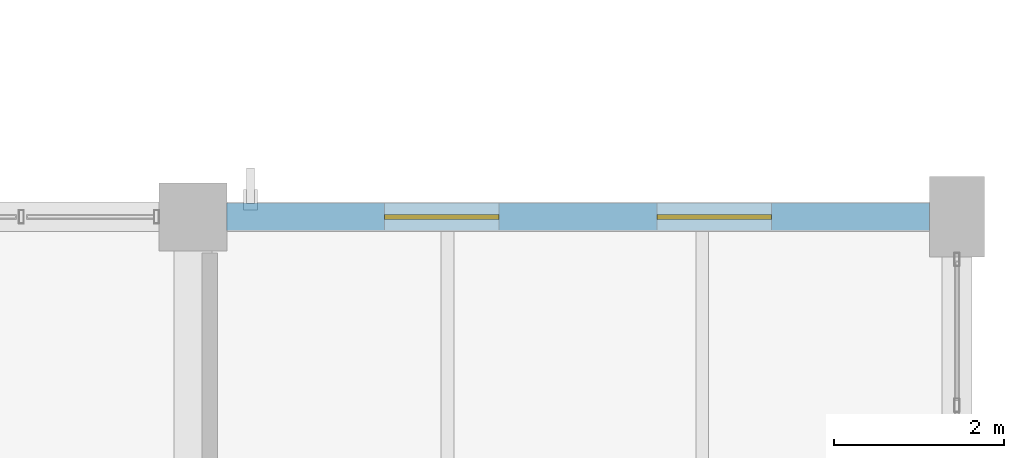
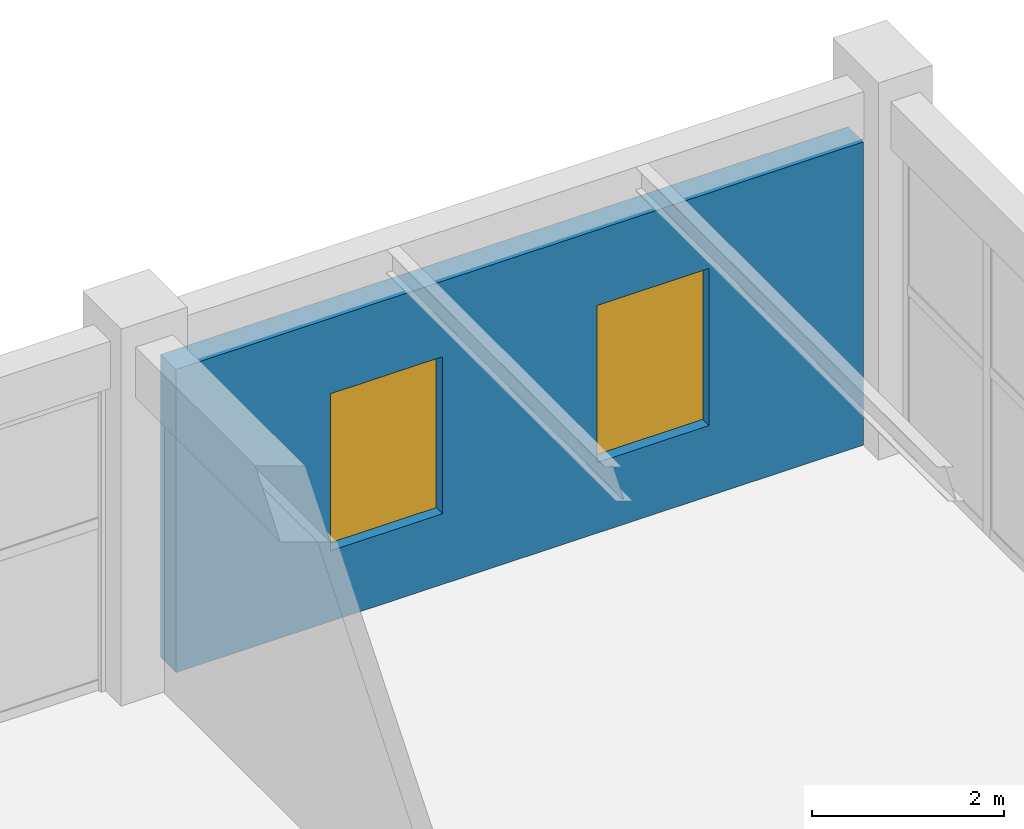
# One storey, part 160 of 178: 2 windows, 1 wall, 2 openings.
"""IFC4 building model written with IfcOpenShell, lengths in metres."""

from ifc_helpers import new_model, si_unit, derived_unit, direction, frame, frame_2d, origin, place, context, subcontext, project, spatial, rectangle, extrude, material, layer, layer_set, type_object, element, fill, save


model = new_model("IFC4")

# Units and contexts
model_context = context("Model", 3, precision=1e-05, world=origin(), true_north=direction((0.0, 1.0)))
body_context = subcontext(model_context, "Body", "Model", "MODEL_VIEW")
ifc_project = project(units=[si_unit("LENGTHUNIT", "METRE"), si_unit("AREAUNIT", "SQUARE_METRE"), si_unit("VOLUMEUNIT", "CUBIC_METRE"), si_unit("PLANEANGLEUNIT", "RADIAN"), si_unit("MASSUNIT", "GRAM", prefix="KILO"), derived_unit("THERMALTRANSMITTANCEUNIT", [(si_unit("MASSUNIT", "GRAM", prefix="KILO"), 1), (si_unit("TIMEUNIT", "SECOND"), -3), (si_unit("THERMODYNAMICTEMPERATUREUNIT", "KELVIN"), -1)])], contexts=[model_context])

# Site, building, storey
site_placement = place(None, origin())
site = spatial("IfcSite", under=ifc_project, at=site_placement, CompositionType="ELEMENT")
building_placement = place(site_placement, origin())
building = spatial("IfcBuilding", under=site, at=building_placement, Name="Zhenchuan Archway Interchange", CompositionType="ELEMENT")
storey_placement = place(building_placement, frame((0.0, 0.0, 5.39990234375)))
storey = spatial("IfcBuildingStorey", under=building, at=storey_placement, Name="L01", CompositionType="ELEMENT", Elevation=5.39990234375)

# Wall, openings, windows
ifc_material_1 = material(Name="Granite Stone Cladding", Category="masonry")
ifc_layer = layer(ifc_material_1, 0.320068359375)
ifc_layer_set = layer_set([ifc_layer], Name="Granite Stone Cladding")
wall_type = type_object("IfcWallType", Name="EW_GRANITE_320", PredefinedType="STANDARD", material=ifc_layer_set)
wall_placement = place(storey_placement, frame((162.39794921875, 104.0, 0.0), z_axis=(0.0, 0.0, 1.0), x_axis=(1.0, 0.0, 0.0)))
wall = element("IfcWall", 1, at=wall_placement, inside=storey, type_object=wall_type, Name="Exterior wall L01-053", PredefinedType="STANDARD", context=body_context, shape_type="SweptSolid", body=[
    extrude(rectangle(XDim=8.279052734375, YDim=0.320068359375, at=frame_2d((4.1396484375, 0.0))), origin(), (0.0, 0.0, 1.0), 3.860107421875),
])
opening_1_placement = place(wall_placement, frame((1.859619140625, 0.0, 0.89990234375)))
opening_1 = element("IfcOpeningElement", 2, at=opening_1_placement, cuts=wall, Name="Opening W-06", PredefinedType="OPENING", context=body_context, shape_type="SweptSolid", body=[
    extrude(rectangle(XDim=1.35009765625, YDim=2.0, at=frame_2d((0.675048828125, 1.0))), frame((0.0, 0.171875, 0.0), z_axis=(0.0, -1.0, 0.0), x_axis=(1.0, 0.0, 0.0)), (0.0, 0.0, 1.0), 0.343994140625),
])
opening_2_placement = place(wall_placement, frame((5.0693359375, 0.0, 0.89990234375)))
opening_2 = element("IfcOpeningElement", 3, at=opening_2_placement, cuts=wall, Name="Opening W-06", PredefinedType="OPENING", context=body_context, shape_type="SweptSolid", body=[
    extrude(rectangle(XDim=1.35009765625, YDim=2.0, at=frame_2d((0.675048828125, 1.0))), frame((0.0, 0.171875, 0.0), z_axis=(0.0, -1.0, 0.0), x_axis=(1.0, 0.0, 0.0)), (0.0, 0.0, 1.0), 0.343994140625),
])
ifc_material_2 = material(Name="Double Low-E Insulated Glazing", Category="glass")
window_type = type_object("IfcWindowType", Name="WN_MOD_1350x2000", PartitioningType="SINGLE_PANEL", PredefinedType="WINDOW", material=ifc_material_2)
window_1_placement = place(opening_1_placement, origin())
window_1 = element("IfcWindow", 4, at=window_1_placement, inside=storey, type_object=window_type, Name="Window L01-0131", OverallHeight=2.0, OverallWidth=1.35009765625, PartitioningType="SINGLE_PANEL", PredefinedType="WINDOW", context=body_context, shape_type="SweptSolid", body=[
    extrude(rectangle(XDim=1.35009765625, YDim=2.0, at=frame_2d((0.675048828125, 1.0))), frame((0.0, 0.030029296875, 0.0), z_axis=(0.0, -1.0, 0.0), x_axis=(1.0, 0.0, 0.0)), (0.0, 0.0, 1.0), 0.06005859375),
])
fill(opening_1, window_1)
window_2_placement = place(opening_2_placement, origin())
window_2 = element("IfcWindow", 5, at=window_2_placement, inside=storey, type_object=window_type, Name="Window L01-0132", OverallHeight=2.0, OverallWidth=1.35009765625, PartitioningType="SINGLE_PANEL", PredefinedType="WINDOW", context=body_context, shape_type="SweptSolid", body=[
    extrude(rectangle(XDim=1.35009765625, YDim=2.0, at=frame_2d((0.675048828125, 1.0))), frame((0.0, 0.030029296875, 0.0), z_axis=(0.0, -1.0, 0.0), x_axis=(1.0, 0.0, 0.0)), (0.0, 0.0, 1.0), 0.06005859375),
])
fill(opening_2, window_2)

save(model, "model.ifc")
